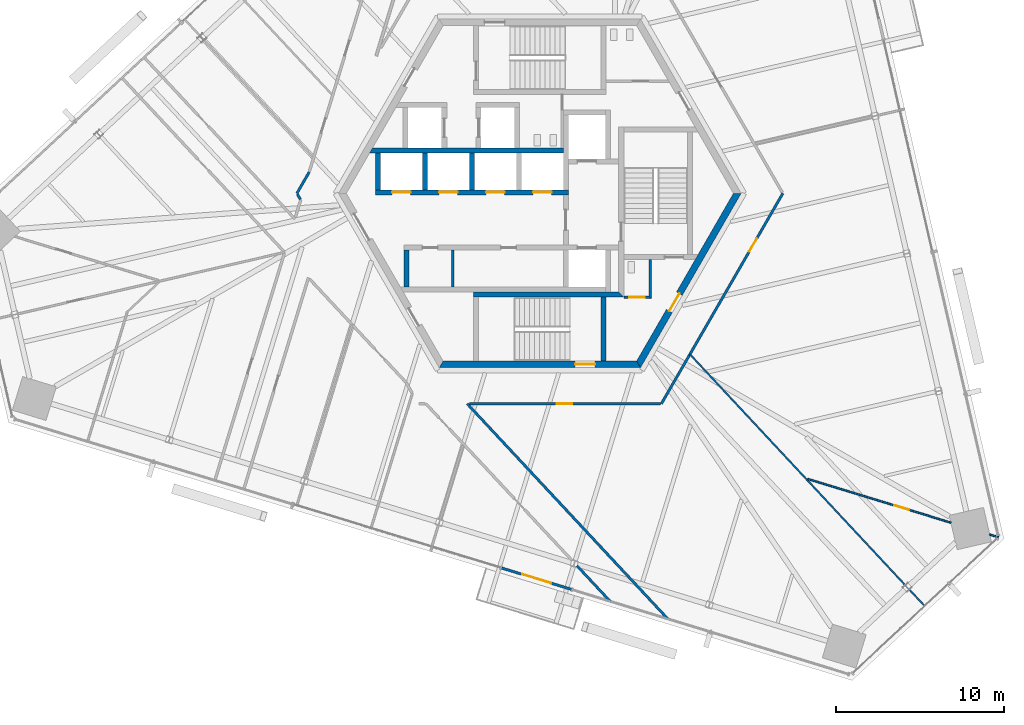
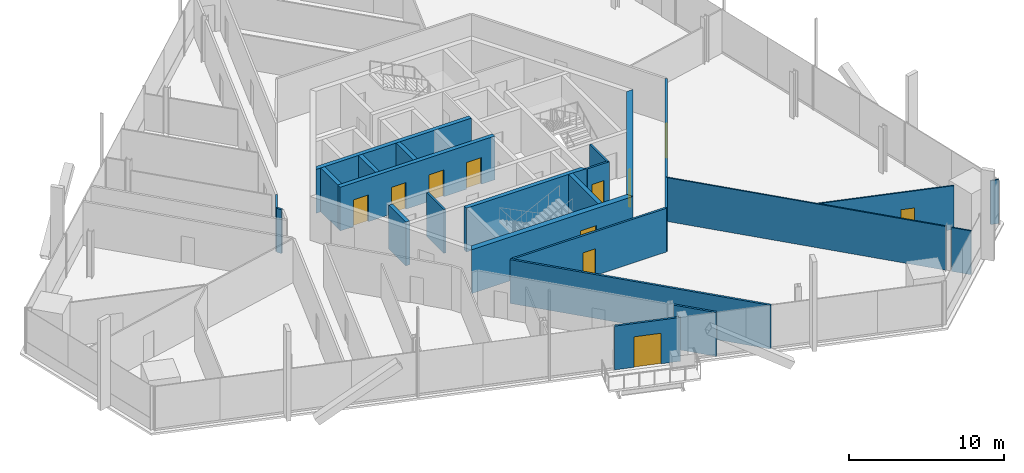
# One storey, part 13 of 23: 24 walls, 11 doors, 11 openings.
"""IFC4 building model written with IfcOpenShell, lengths in metres."""

from ifc_helpers import new_model, si_unit, direction, frame, frame_2d, origin, place, context, subcontext, project, spatial, polyline, rectangle, outline, extrude, source, transform, mapped, material, layer, layer_set, type_object, element, fill, save


model = new_model("IFC4")

# Units and contexts
model_context = context("Model", 3, precision=1e-05, world=origin(), true_north=direction((0.0, 1.0)))
body_context = subcontext(model_context, "Body", "Model", "MODEL_VIEW")
ifc_project = project(units=[si_unit("LENGTHUNIT", "METRE"), si_unit("AREAUNIT", "SQUARE_METRE"), si_unit("VOLUMEUNIT", "CUBIC_METRE"), si_unit("PLANEANGLEUNIT", "RADIAN"), si_unit("MASSUNIT", "GRAM", prefix="KILO")], contexts=[model_context])

# Site, building, storey
site_placement = place(None, origin())
site = spatial("IfcSite", under=ifc_project, at=site_placement, CompositionType="ELEMENT")
building_placement = place(site_placement, origin())
building = spatial("IfcBuilding", under=site, at=building_placement, Name="Triune Harvest Tower", CompositionType="ELEMENT")
storey_placement = place(building_placement, frame((0.0, 0.0, 105.5)))
storey = spatial("IfcBuildingStorey", under=building, at=storey_placement, Name="L26", CompositionType="ELEMENT", Elevation=105.5)

# Wall, opening, door
ifc_material_1 = material(Name="Concrete 70 MPa", Category="concrete")
ifc_layer_1 = layer(ifc_material_1, 0.39990234375)
ifc_layer_set_1 = layer_set([ifc_layer_1], Name="Concrete 70 MPa")
wall_type_1 = type_object("IfcWallType", Name="Core wall 400", PredefinedType="SHEAR", material=ifc_layer_set_1)
shared_shape_1 = source(origin(), body_context, "Body", "SweptSolid", [
    extrude(outline(polyline([(-0.115478515625, -0.199951171875), (11.884521484375, -0.199951171875), (11.653564453125, 0.199951171875), (0.115478515625, 0.199951171875), (-0.115478515625, -0.199951171875)])), origin(), (0.0, 0.0, 1.0), 3.43994140625),
])
wall_1_placement = place(storey_placement, frame((-5.884521484375, -10.1923828125, 0.0), z_axis=(0.0, 0.0, 1.0), x_axis=(1.0, 0.0, 0.0)))
wall_1 = element("IfcWall", 1, at=wall_1_placement, inside=storey, type_object=wall_type_1, Name="Hexagon 4 wall", PredefinedType="SHEAR", context=body_context, shape_type="MappedRepresentation", body=[
    mapped(shared_shape_1, transform((0.0, 0.0, 0.0), scale=1.0)),
])
opening_1_placement = place(wall_1_placement, frame((7.984619140625, 0.0, 0.0)))
opening_1 = element("IfcOpeningElement", 2, at=opening_1_placement, cuts=wall_1, Name="Opening CD-S2P", PredefinedType="OPENING", context=body_context, shape_type="SweptSolid", body=[
    extrude(rectangle(XDim=1.199951171875, YDim=2.10009765625, at=frame_2d((0.60009765625, 1.050048828125))), frame((0.0, 0.2099609375, 0.0), z_axis=(0.0, -1.0, 0.0), x_axis=(1.0, 0.0, 0.0)), (0.0, 0.0, 1.0), 0.419921875),
])
ifc_material_2 = material(Name="Steel S235", Category="steel")
door_type_1 = type_object("IfcDoorType", Name="Stair door 1200 FD120", OperationType="SINGLE_SWING_LEFT", PredefinedType="DOOR", material=ifc_material_2)
door_1_placement = place(opening_1_placement, frame((1.199951171875, 0.0, 0.0), z_axis=(0.0, 0.0, 1.0), x_axis=(-1.0, 0.0, 0.0)))
door_1 = element("IfcDoor", 3, at=door_1_placement, inside=storey, type_object=door_type_1, Name="Door CD-S2P", OperationType="SINGLE_SWING_RIGHT", OverallHeight=2.10009765625, OverallWidth=1.199951171875, PredefinedType="DOOR", context=body_context, shape_type="SweptSolid", body=[
    extrude(rectangle(XDim=1.199951171875, YDim=2.10009765625, at=frame_2d((0.60009765625, 1.050048828125))), frame((0.0, 0.02490234375, 0.0), z_axis=(0.0, -1.0, 0.0), x_axis=(1.0, 0.0, 0.0)), (0.0, 0.0, 1.0), 0.050048828125),
])
fill(opening_1, door_1)

wall_2_placement = place(storey_placement, frame((5.884521484375, -10.1923828125, 0.0), z_axis=(0.0, 0.0, 1.0), x_axis=(0.499996592174, 0.866027371285, 0.0)))
wall_2 = element("IfcWall", 4, at=wall_2_placement, inside=storey, type_object=wall_type_1, Name="Hexagon 5 wall", PredefinedType="SHEAR", context=body_context, shape_type="MappedRepresentation", body=[
    mapped(shared_shape_1, transform((0.0, 0.0, 0.0), scale=1.0)),
])
opening_2_placement = place(wall_2_placement, frame((3.66455078125, 0.0, 0.0)))
opening_2 = element("IfcOpeningElement", 5, at=opening_2_placement, cuts=wall_2, Name="Opening CD-DP", PredefinedType="OPENING", context=body_context, shape_type="SweptSolid", body=[
    extrude(rectangle(XDim=1.199951171875, YDim=2.10009765625, at=frame_2d((0.60009765625, 1.050048828125))), frame((0.0, 0.2099609375, 0.0), z_axis=(0.0, -1.0, 0.0), x_axis=(1.0, 0.0, 0.0)), (0.0, 0.0, 1.0), 0.419921875),
])
door_2_placement = place(opening_2_placement, frame((1.199951171875, 0.0, 0.0), z_axis=(0.0, 0.0, 1.0), x_axis=(-1.0, 0.0, 0.0)))
door_2 = element("IfcDoor", 6, at=door_2_placement, inside=storey, type_object=door_type_1, Name="Door CD-DP", OperationType="SINGLE_SWING_RIGHT", OverallHeight=2.10009765625, OverallWidth=1.199951171875, PredefinedType="DOOR", context=body_context, shape_type="SweptSolid", body=[
    extrude(rectangle(XDim=1.199951171875, YDim=2.10009765625, at=frame_2d((0.60009765625, 1.050048828125))), frame((0.0, 0.02490234375, 0.0), z_axis=(0.0, -1.0, 0.0), x_axis=(1.0, 0.0, 0.0)), (0.0, 0.0, 1.0), 0.050048828125),
])
fill(opening_2, door_2)

# Wall, openings, doors
ifc_material_3 = material(Name="Concrete 70 MPa", Category="concrete")
ifc_layer_2 = layer(ifc_material_3, 0.300048828125)
ifc_layer_set_2 = layer_set([ifc_layer_2], Name="Concrete 70 MPa")
wall_type_2 = type_object("IfcWallType", Name="Core wall 300", PredefinedType="SHEAR", material=ifc_layer_set_2)
shared_shape_2 = source(origin(), body_context, "Body", "SweptSolid", [
    extrude(rectangle(XDim=11.5, YDim=0.300048828125, at=frame_2d((5.75, 0.0))), origin(), (0.0, 0.0, 1.0), 3.43994140625),
])
wall_3_placement = place(storey_placement, frame((-9.800048828125, 0.06005859375, 0.0), z_axis=(0.0, 0.0, 1.0), x_axis=(1.0, 0.0, 0.0)))
wall_3 = element("IfcWall", 7, at=wall_3_placement, inside=storey, type_object=wall_type_2, Name="North front wall", PredefinedType="SHEAR", context=body_context, shape_type="MappedRepresentation", body=[
    mapped(shared_shape_2, transform((0.0, 0.0, 0.0), scale=1.0)),
])
opening_3_placement = place(wall_3_placement, frame((1.0, 0.0, 0.0)))
opening_3 = element("IfcOpeningElement", 8, at=opening_3_placement, cuts=wall_3, Name="Opening LD-LR1-26", PredefinedType="OPENING", context=body_context, shape_type="SweptSolid", body=[
    extrude(rectangle(XDim=1.10009765625, YDim=2.10009765625, at=frame_2d((0.550048828125, 1.050048828125))), frame((0.0, 0.16015625, 0.0), z_axis=(0.0, -1.0, 0.0), x_axis=(1.0, 0.0, 0.0)), (0.0, 0.0, 1.0), 0.320068359375),
])
opening_4_placement = place(wall_3_placement, frame((3.800048828125, 0.0, 0.0)))
opening_4 = element("IfcOpeningElement", 9, at=opening_4_placement, cuts=wall_3, Name="Opening LD-LR2-26", PredefinedType="OPENING", context=body_context, shape_type="SweptSolid", body=[
    extrude(rectangle(XDim=1.10009765625, YDim=2.10009765625, at=frame_2d((0.550048828125, 1.050048828125))), frame((0.0, 0.16015625, 0.0), z_axis=(0.0, -1.0, 0.0), x_axis=(1.0, 0.0, 0.0)), (0.0, 0.0, 1.0), 0.320068359375),
])
opening_5_placement = place(wall_3_placement, frame((6.60009765625, 0.0, 0.0)))
opening_5 = element("IfcOpeningElement", 10, at=opening_5_placement, cuts=wall_3, Name="Opening LD-LR3-26", PredefinedType="OPENING", context=body_context, shape_type="SweptSolid", body=[
    extrude(rectangle(XDim=1.10009765625, YDim=2.10009765625, at=frame_2d((0.550048828125, 1.050048828125))), frame((0.0, 0.16015625, 0.0), z_axis=(0.0, -1.0, 0.0), x_axis=(1.0, 0.0, 0.0)), (0.0, 0.0, 1.0), 0.320068359375),
])
opening_6_placement = place(wall_3_placement, frame((9.39990234375, 0.0, 0.0)))
opening_6 = element("IfcOpeningElement", 11, at=opening_6_placement, cuts=wall_3, Name="Opening LD-LR4-26", PredefinedType="OPENING", context=body_context, shape_type="SweptSolid", body=[
    extrude(rectangle(XDim=1.10009765625, YDim=2.10009765625, at=frame_2d((0.550048828125, 1.050048828125))), frame((0.0, 0.16015625, 0.0), z_axis=(0.0, -1.0, 0.0), x_axis=(1.0, 0.0, 0.0)), (0.0, 0.0, 1.0), 0.320068359375),
])
ifc_material_4 = material(Name="Stainless steel AISI 304", Category="steel")
door_type_2 = type_object("IfcDoorType", Name="Landing door 1100 x 2100", OperationType="DOUBLE_DOOR_SLIDING", PredefinedType="DOOR", material=ifc_material_4)
door_3_placement = place(opening_3_placement, origin())
door_3 = element("IfcDoor", 12, at=door_3_placement, inside=storey, type_object=door_type_2, Name="Door LD-LR1-26", OperationType="DOUBLE_DOOR_SLIDING", OverallHeight=2.10009765625, OverallWidth=1.10009765625, PredefinedType="DOOR", context=body_context, shape_type="SweptSolid", body=[
    extrude(rectangle(XDim=1.10009765625, YDim=2.10009765625, at=frame_2d((0.550048828125, 1.050048828125))), frame((0.0, 0.02490234375, 0.0), z_axis=(0.0, -1.0, 0.0), x_axis=(1.0, 0.0, 0.0)), (0.0, 0.0, 1.0), 0.050048828125),
])
fill(opening_3, door_3)
door_4_placement = place(opening_4_placement, origin())
door_4 = element("IfcDoor", 13, at=door_4_placement, inside=storey, type_object=door_type_2, Name="Door LD-LR2-26", OperationType="DOUBLE_DOOR_SLIDING", OverallHeight=2.10009765625, OverallWidth=1.10009765625, PredefinedType="DOOR", context=body_context, shape_type="SweptSolid", body=[
    extrude(rectangle(XDim=1.10009765625, YDim=2.10009765625, at=frame_2d((0.550048828125, 1.050048828125))), frame((0.0, 0.02490234375, 0.0), z_axis=(0.0, -1.0, 0.0), x_axis=(1.0, 0.0, 0.0)), (0.0, 0.0, 1.0), 0.050048828125),
])
fill(opening_4, door_4)
door_5_placement = place(opening_5_placement, origin())
door_5 = element("IfcDoor", 14, at=door_5_placement, inside=storey, type_object=door_type_2, Name="Door LD-LR3-26", OperationType="DOUBLE_DOOR_SLIDING", OverallHeight=2.10009765625, OverallWidth=1.10009765625, PredefinedType="DOOR", context=body_context, shape_type="SweptSolid", body=[
    extrude(rectangle(XDim=1.10009765625, YDim=2.10009765625, at=frame_2d((0.550048828125, 1.050048828125))), frame((0.0, 0.02490234375, 0.0), z_axis=(0.0, -1.0, 0.0), x_axis=(1.0, 0.0, 0.0)), (0.0, 0.0, 1.0), 0.050048828125),
])
fill(opening_5, door_5)
door_6_placement = place(opening_6_placement, origin())
door_6 = element("IfcDoor", 15, at=door_6_placement, inside=storey, type_object=door_type_2, Name="Door LD-LR4-26", OperationType="DOUBLE_DOOR_SLIDING", OverallHeight=2.10009765625, OverallWidth=1.10009765625, PredefinedType="DOOR", context=body_context, shape_type="SweptSolid", body=[
    extrude(rectangle(XDim=1.10009765625, YDim=2.10009765625, at=frame_2d((0.550048828125, 1.050048828125))), frame((0.0, 0.02490234375, 0.0), z_axis=(0.0, -1.0, 0.0), x_axis=(1.0, 0.0, 0.0)), (0.0, 0.0, 1.0), 0.050048828125),
])
fill(opening_6, door_6)

# Walls
shared_shape_3 = source(origin(), body_context, "Body", "SweptSolid", [
    extrude(outline(polyline([(11.199951171875, -0.14990234375), (-0.34912109375, -0.14990234375), (-0.17578125, 0.14990234375), (11.199951171875, 0.14990234375), (11.199951171875, -0.14990234375)])), origin(), (0.0, 0.0, 1.0), 3.43994140625),
])
wall_4_placement = place(storey_placement, frame((-9.800048828125, 2.56005859375, 0.0), z_axis=(0.0, 0.0, 1.0), x_axis=(1.0, 0.0, 0.0)))
element("IfcWall", 16, at=wall_4_placement, inside=storey, type_object=wall_type_2, Name="North back wall", PredefinedType="SHEAR", context=body_context, shape_type="MappedRepresentation", body=[
    mapped(shared_shape_3, transform((0.0, 0.0, 0.0), scale=1.0)),
])
shared_shape_4 = source(origin(), body_context, "Body", "SweptSolid", [
    extrude(rectangle(XDim=2.2001953125, YDim=0.300048828125, at=frame_2d((1.10009765625, 0.0))), origin(), (0.0, 0.0, 1.0), 3.43994140625),
])
wall_5_placement = place(storey_placement, frame((-7.949951171875, -5.590087890625, 0.0), z_axis=(0.0, 0.0, 1.0), x_axis=(0.0, 1.0, 0.0)))
element("IfcWall", 17, at=wall_5_placement, inside=storey, type_object=wall_type_2, Name="South end west wall", PredefinedType="SHEAR", context=body_context, shape_type="MappedRepresentation", body=[
    mapped(shared_shape_4, transform((0.0, 0.0, 0.0), scale=1.0)),
])
shared_shape_5 = source(origin(), body_context, "Body", "SweptSolid", [
    extrude(rectangle(XDim=2.199951171875, YDim=0.300048828125, at=frame_2d((1.10009765625, 0.0))), origin(), (0.0, 0.0, 1.0), 3.43994140625),
])
for number, where, z_axis, x_axis, name in (
    (18, (-9.64990234375, 0.2099609375, 0.0), (0.0, 0.0, 1.0), (0.0, 1.0, 0.0), "North end west wall"),
    (19, (-6.85009765625, 0.2099609375, 0.0), (0.0, 0.0, 1.0), (0.0, 1.0, 0.0), "North cross 1 wall"),
    (20, (-4.050048828125, 0.2099609375, 0.0), (0.0, 0.0, 1.0), (0.0, 1.0, 0.0), "North cross 2 wall"),
):
    element("IfcWall", number, at=place(storey_placement, frame(where, z_axis=z_axis, x_axis=x_axis)), inside=storey, type_object=wall_type_2, Name=name, PredefinedType="SHEAR", context=body_context, shape_type="MappedRepresentation", body=[
        mapped(shared_shape_5, transform((0.0, 0.0, 0.0), scale=1.0)),
    ])
shared_shape_6 = source(origin(), body_context, "Body", "SweptSolid", [
    extrude(outline(polyline([(0.0, -0.14990234375), (8.949951171875, -0.14990234375), (8.64990234375, 0.14990234375), (0.0, 0.14990234375), (0.0, -0.14990234375)])), origin(), (0.0, 0.0, 1.0), 3.43994140625),
])
wall_6_placement = place(storey_placement, frame((-3.949951171875, -6.0400390625, 0.0), z_axis=(0.0, 0.0, 1.0), x_axis=(1.0, 0.0, 0.0)))
element("IfcWall", 21, at=wall_6_placement, inside=storey, type_object=wall_type_2, Name="Stair s north wall", PredefinedType="SHEAR", context=body_context, shape_type="MappedRepresentation", body=[
    mapped(shared_shape_6, transform((0.0, 0.0, 0.0), scale=1.0)),
])
shared_shape_7 = source(origin(), body_context, "Body", "SweptSolid", [
    extrude(outline(polyline([(3.800048828125, -0.14990234375), (-0.00439453125, -0.14990234375), (-0.00439453125, 0.14990234375), (3.800048828125, 0.14990234375), (3.800048828125, -0.14990234375)])), origin(), (0.0, 0.0, 1.0), 3.43994140625),
])
wall_7_placement = place(storey_placement, frame((3.800048828125, -9.989990234375, 0.0), z_axis=(0.0, 0.0, 1.0), x_axis=(0.0, 1.0, 0.0)))
element("IfcWall", 22, at=wall_7_placement, inside=storey, type_object=wall_type_2, Name="Stair s east wall", PredefinedType="SHEAR", context=body_context, shape_type="MappedRepresentation", body=[
    mapped(shared_shape_7, transform((0.0, 0.0, 0.0), scale=1.0)),
])

# Wall, opening, door
ifc_material_5 = material(Name="Concrete masonry unit", Category="masonry")
ifc_layer_3 = layer(ifc_material_5, 0.14990234375)
ifc_layer_set_3 = layer_set([ifc_layer_3], Name="Concrete masonry unit")
wall_type_3 = type_object("IfcWallType", Name="Block partition 150 unrated", PredefinedType="PARTITIONING", material=ifc_layer_set_3)
shared_shape_8 = source(origin(), body_context, "Body", "SweptSolid", [
    extrude(outline(polyline([(0.0, -0.074951171875), (1.64990234375, -0.074951171875), (1.5, 0.074951171875), (0.0, 0.074951171875), (0.0, -0.074951171875)])), origin(), (0.0, 0.0, 1.0), 3.43994140625),
])
wall_8_placement = place(storey_placement, frame((5.0, -6.18994140625, 0.0), z_axis=(0.0, 0.0, 1.0), x_axis=(1.0, 0.0, 0.0)))
wall_8 = element("IfcWall", 23, at=wall_8_placement, inside=storey, type_object=wall_type_3, Name="Wc acc south wall", PredefinedType="PARTITIONING", context=body_context, shape_type="MappedRepresentation", body=[
    mapped(shared_shape_8, transform((0.0, 0.0, 0.0), scale=1.0)),
])
opening_7_placement = place(wall_8_placement, frame((0.33740234375, 0.0, 0.0)))
opening_7 = element("IfcOpeningElement", 24, at=opening_7_placement, cuts=wall_8, Name="Opening CD-WA", PredefinedType="OPENING", context=body_context, shape_type="SweptSolid", body=[
    extrude(rectangle(XDim=0.89990234375, YDim=2.10009765625, at=frame_2d((0.449951171875, 1.050048828125))), frame((0.0, 0.0849609375, 0.0), z_axis=(0.0, -1.0, 0.0), x_axis=(1.0, 0.0, 0.0)), (0.0, 0.0, 1.0), 0.169921875),
])
ifc_material_6 = material(Name="Timber C24", Category="wood")
door_type_3 = type_object("IfcDoorType", Name="WC door 900", OperationType="SINGLE_SWING_LEFT", PredefinedType="DOOR", material=ifc_material_6)
door_7_placement = place(opening_7_placement, origin())
door_7 = element("IfcDoor", 25, at=door_7_placement, inside=storey, type_object=door_type_3, Name="Door CD-WA", OperationType="SINGLE_SWING_LEFT", OverallHeight=2.10009765625, OverallWidth=0.89990234375, PredefinedType="DOOR", context=body_context, shape_type="SweptSolid", body=[
    extrude(rectangle(XDim=0.89990234375, YDim=2.10009765625, at=frame_2d((0.449951171875, 1.050048828125))), frame((0.0, 0.02490234375, 0.0), z_axis=(0.0, -1.0, 0.0), x_axis=(1.0, 0.0, 0.0)), (0.0, 0.0, 1.0), 0.050048828125),
])
fill(opening_7, door_7)

# Walls
shared_shape_9 = source(origin(), body_context, "Body", "SweptSolid", [
    extrude(outline(polyline([(-0.074951171875, -0.074951171875), (2.239990234375, -0.074951171875), (2.239990234375, 0.074951171875), (0.074951171875, 0.074951171875), (-0.074951171875, -0.074951171875)])), origin(), (0.0, 0.0, 1.0), 3.43994140625),
])
wall_9_placement = place(storey_placement, frame((6.574951171875, -6.18994140625, 0.0), z_axis=(0.0, 0.0, 1.0), x_axis=(0.0, 1.0, 0.0)))
element("IfcWall", 26, at=wall_9_placement, inside=storey, type_object=wall_type_3, Name="Wc acc east wall", PredefinedType="PARTITIONING", context=body_context, shape_type="MappedRepresentation", body=[
    mapped(shared_shape_9, transform((0.0, 0.0, 0.0), scale=1.0)),
])
ifc_material_7 = material(Name="Concrete masonry unit", Category="masonry")
ifc_layer_4 = layer(ifc_material_7, 0.14990234375)
ifc_layer_set_4 = layer_set([ifc_layer_4], Name="Concrete masonry unit")
wall_type_4 = type_object("IfcWallType", Name="Block partition 150", PredefinedType="PARTITIONING", material=ifc_layer_set_4)
shared_shape_10 = source(origin(), body_context, "Body", "SweptSolid", [
    extrude(rectangle(XDim=2.2001953125, YDim=0.14990234375, at=frame_2d((1.10009765625, 0.0))), origin(), (0.0, 0.0, 1.0), 3.43994140625),
])
wall_10_placement = place(storey_placement, frame((-5.199951171875, -5.590087890625, 0.0), z_axis=(0.0, 0.0, 1.0), x_axis=(0.0, 1.0, 0.0)))
element("IfcWall", 27, at=wall_10_placement, inside=storey, type_object=wall_type_4, Name="Row s part 1 wall", PredefinedType="PARTITIONING", context=body_context, shape_type="MappedRepresentation", body=[
    mapped(shared_shape_10, transform((0.0, 0.0, 0.0), scale=1.0)),
])

# Wall, opening, door
ifc_material_8 = material(Name="Aluminium bronze anodised", Category="aluminium")
ifc_layer_5 = layer(ifc_material_8, 0.14990234375)
ifc_layer_set_5 = layer_set([ifc_layer_5], Name="Aluminium bronze anodised")
wall_type_5 = type_object("IfcWallType", Name="WW-2 balcony window wall", PredefinedType="ELEMENTEDWALL", material=ifc_layer_set_5)
shared_shape_11 = source(origin(), body_context, "Body", "SweptSolid", [
    extrude(rectangle(XDim=4.353271484375, YDim=0.14990234375, at=frame_2d((2.1767578125, 0.0))), origin(), (0.0, 0.0, 1.0), 3.43994140625),
])
wall_11_placement = place(storey_placement, frame((1.886962890625, -23.607421875, 0.0), z_axis=(0.0, 0.0, 1.0), x_axis=(-0.956309766943, 0.292355314044, 0.0)))
wall_11 = element("IfcWall", 28, at=wall_11_placement, inside=storey, type_object=wall_type_5, Name="WW-2 B3-F5 L26.8", PredefinedType="ELEMENTEDWALL", context=body_context, shape_type="MappedRepresentation", body=[
    mapped(shared_shape_11, transform((0.0, 0.0, 0.0), scale=1.0)),
])
opening_8_placement = place(wall_11_placement, frame((1.276611328125, 0.0, 0.0)))
opening_8 = element("IfcOpeningElement", 29, at=opening_8_placement, cuts=wall_11, Name="Opening L26-E02", PredefinedType="OPENING", context=body_context, shape_type="SweptSolid", body=[
    extrude(rectangle(XDim=1.800048828125, YDim=2.39990234375, at=frame_2d((0.89990234375, 1.199951171875))), frame((0.0, 0.0849609375, 0.0), z_axis=(0.0, -1.0, 0.0), x_axis=(1.0, 0.0, 0.0)), (0.0, 0.0, 1.0), 0.169921875),
])
ifc_material_9 = material(Name="Glass", Category="glass")
door_type_4 = type_object("IfcDoorType", Name="DB-1 balcony door 1800 x 2400", OperationType="DOUBLE_DOOR_SINGLE_SWING", PredefinedType="DOOR", material=ifc_material_9)
door_8_placement = place(opening_8_placement, origin())
door_8 = element("IfcDoor", 30, at=door_8_placement, inside=storey, type_object=door_type_4, Name="Door L26-E02", OperationType="DOUBLE_DOOR_SINGLE_SWING", OverallHeight=2.39990234375, OverallWidth=1.800048828125, PredefinedType="DOOR", context=body_context, shape_type="SweptSolid", body=[
    extrude(rectangle(XDim=1.800048828125, YDim=2.39990234375, at=frame_2d((0.89990234375, 1.199951171875))), frame((0.0, 0.02490234375, 0.0), z_axis=(0.0, -1.0, 0.0), x_axis=(1.0, 0.0, 0.0)), (0.0, 0.0, 1.0), 0.050048828125),
])
fill(opening_8, door_8)

# Walls
ifc_material_10 = material(Name="Gypsum board on steel studs", Category="steel")
ifc_layer_6 = layer(ifc_material_10, 0.14990234375)
ifc_layer_set_6 = layer_set([ifc_layer_6], Name="Gypsum board on steel studs")
wall_type_6 = type_object("IfcWallType", Name="Fire Partition 150 mm", PredefinedType="PARTITIONING", material=ifc_layer_set_6)
shared_shape_12 = source(origin(), body_context, "Body", "SweptSolid", [
    extrude(rectangle(XDim=0.358642578125, YDim=0.14990234375, at=frame_2d((0.17919921875, 0.0))), origin(), (0.0, 0.0, 1.0), 3.43994140625),
])
wall_12_placement = place(storey_placement, frame((-14.457275390625, -0.044677734375, 0.0), z_axis=(0.0, 0.0, 1.0), x_axis=(0.499506421781, -0.866310183825, 0.0)))
element("IfcWall", 31, at=wall_12_placement, inside=storey, type_object=wall_type_6, Name="Partition L26 001", PredefinedType="PARTITIONING", context=body_context, shape_type="MappedRepresentation", body=[
    mapped(shared_shape_12, transform((0.0, 0.0, 0.0), scale=1.0)),
])
shared_shape_13 = source(origin(), body_context, "Body", "SweptSolid", [
    extrude(rectangle(XDim=1.45849609375, YDim=0.14990234375, at=frame_2d((0.729248046875, 0.0))), origin(), (0.0, 0.0, 1.0), 3.43994140625),
])
wall_13_placement = place(storey_placement, frame((-14.482421875, 0.00048828125, 0.0), z_axis=(0.0, 0.0, 1.0), x_axis=(0.499973600159, 0.866040645203, 0.0)))
element("IfcWall", 32, at=wall_13_placement, inside=storey, type_object=wall_type_6, Name="Partition L26 035", PredefinedType="PARTITIONING", context=body_context, shape_type="MappedRepresentation", body=[
    mapped(shared_shape_13, transform((0.0, 0.0, 0.0), scale=1.0)),
])
shared_shape_14 = source(origin(), body_context, "Body", "SweptSolid", [
    extrude(rectangle(XDim=2.887939453125, YDim=0.14990234375, at=frame_2d((1.44384765625, 0.0))), origin(), (0.0, 0.0, 1.0), 3.43994140625),
])
wall_14_placement = place(storey_placement, frame((2.209716796875, -22.196044921875, 0.0), z_axis=(0.0, 0.0, 1.0), x_axis=(0.681947692546, -0.731400946561, 0.0)))
element("IfcWall", 33, at=wall_14_placement, inside=storey, type_object=wall_type_6, Name="Partition L26 007", PredefinedType="PARTITIONING", context=body_context, shape_type="MappedRepresentation", body=[
    mapped(shared_shape_14, transform((0.0, 0.0, 0.0), scale=1.0)),
])
shared_shape_15 = source(origin(), body_context, "Body", "SweptSolid", [
    extrude(rectangle(XDim=17.52734375, YDim=0.14990234375, at=frame_2d((8.763671875, 0.0))), origin(), (0.0, 0.0, 1.0), 3.43994140625),
])
wall_15_placement = place(storey_placement, frame((-4.33154296875, -12.542236328125, 0.0), z_axis=(0.0, 0.0, 1.0), x_axis=(0.68200056093, -0.731351649271, 0.0)))
element("IfcWall", 34, at=wall_15_placement, inside=storey, type_object=wall_type_6, Name="Partition L26 009", PredefinedType="PARTITIONING", context=body_context, shape_type="MappedRepresentation", body=[
    mapped(shared_shape_15, transform((0.0, 0.0, 0.0), scale=1.0)),
])
ifc_material_11 = material(Name="Gypsum board on steel studs", Category="steel")
ifc_layer_7 = layer(ifc_material_11, 0.10009765625)
ifc_layer_set_7 = layer_set([ifc_layer_7], Name="Gypsum board on steel studs")
wall_type_7 = type_object("IfcWallType", Name="Partition 100 mm", PredefinedType="PARTITIONING", material=ifc_layer_set_7)
shared_shape_16 = source(origin(), body_context, "Body", "SweptSolid", [
    extrude(rectangle(XDim=1.338134765625, YDim=0.10009765625, at=frame_2d((0.6689453125, 0.0))), origin(), (0.0, 0.0, 1.0), 3.43994140625),
])
wall_16_placement = place(storey_placement, frame((22.02490234375, -23.618896484375, 0.0), z_axis=(0.0, 0.0, 1.0), x_axis=(0.68204515899, -0.731310058114, 0.0)))
element("IfcWall", 35, at=wall_16_placement, inside=storey, type_object=wall_type_7, Name="Partition L26 016", PredefinedType="PARTITIONING", context=body_context, shape_type="MappedRepresentation", body=[
    mapped(shared_shape_16, transform((0.0, 0.0, 0.0), scale=1.0)),
])
shared_shape_17 = source(origin(), body_context, "Body", "SweptSolid", [
    extrude(rectangle(XDim=18.818359375, YDim=0.10009765625, at=frame_2d((9.4091796875, 0.0))), origin(), (0.0, 0.0, 1.0), 3.43994140625),
])
wall_17_placement = place(storey_placement, frame((8.944580078125, -9.592041015625, 0.0), z_axis=(0.0, 0.0, 1.0), x_axis=(0.682007100477, -0.731345550953, 0.0)))
element("IfcWall", 36, at=wall_17_placement, inside=storey, type_object=wall_type_7, Name="Partition L26 015", PredefinedType="PARTITIONING", context=body_context, shape_type="MappedRepresentation", body=[
    mapped(shared_shape_17, transform((0.0, 0.0, 0.0), scale=1.0)),
])

# Wall, opening, door
shared_shape_18 = source(origin(), body_context, "Body", "SweptSolid", [
    extrude(rectangle(XDim=8.9326171875, YDim=0.10009765625, at=frame_2d((4.46630859375, 0.0))), origin(), (0.0, 0.0, 1.0), 3.43994140625),
])
wall_18_placement = place(storey_placement, frame((15.968017578125, -17.020751953125, 0.0), z_axis=(0.0, 0.0, 1.0), x_axis=(0.956306366949, -0.292366435373, 0.0)))
wall_18 = element("IfcWall", 37, at=wall_18_placement, inside=storey, type_object=wall_type_7, Name="Partition L26 023", PredefinedType="PARTITIONING", context=body_context, shape_type="MappedRepresentation", body=[
    mapped(shared_shape_18, transform((0.0, 0.0, 0.0), scale=1.0)),
])
opening_9_placement = place(wall_18_placement, frame((5.409912109375, 0.0, 0.0)))
opening_9 = element("IfcOpeningElement", 38, at=opening_9_placement, cuts=wall_18, Name="Opening L26-019", PredefinedType="OPENING", context=body_context, shape_type="SweptSolid", body=[
    extrude(rectangle(XDim=0.89990234375, YDim=2.10009765625, at=frame_2d((0.449951171875, 1.050048828125))), frame((0.0, 0.06005859375, 0.0), z_axis=(0.0, -1.0, 0.0), x_axis=(1.0, 0.0, 0.0)), (0.0, 0.0, 1.0), 0.1201171875),
])
ifc_material_12 = material(Name="Timber and steel door set", Category="steel")
door_type_5 = type_object("IfcDoorType", Name="Single leaf door left hand 900 x 2100", OperationType="SINGLE_SWING_LEFT", PredefinedType="DOOR", material=ifc_material_12)
door_9_placement = place(opening_9_placement, origin())
door_9 = element("IfcDoor", 39, at=door_9_placement, inside=storey, type_object=door_type_5, Name="Door L26-019 Meeting Room 26.19", OperationType="SINGLE_SWING_LEFT", OverallHeight=2.10009765625, OverallWidth=0.89990234375, PredefinedType="DOOR", context=body_context, shape_type="SweptSolid", body=[
    extrude(rectangle(XDim=0.89990234375, YDim=2.10009765625, at=frame_2d((0.449951171875, 1.050048828125))), frame((0.0, 0.02490234375, 0.0), z_axis=(0.0, -1.0, 0.0), x_axis=(1.0, 0.0, 0.0)), (0.0, 0.0, 1.0), 0.050048828125),
])
fill(opening_9, door_9)

# Wall
shared_shape_19 = source(origin(), body_context, "Body", "SweptSolid", [
    extrude(rectangle(XDim=0.552734375, YDim=0.10009765625, at=frame_2d((0.2763671875, 0.0))), origin(), (0.0, 0.0, 1.0), 3.43994140625),
])
wall_19_placement = place(storey_placement, frame((26.806884765625, -20.334716796875, 0.0), z_axis=(0.0, 0.0, 1.0), x_axis=(0.956416704969, -0.292005284981, 0.0)))
element("IfcWall", 40, at=wall_19_placement, inside=storey, type_object=wall_type_7, Name="Partition L26 024", PredefinedType="PARTITIONING", context=body_context, shape_type="MappedRepresentation", body=[
    mapped(shared_shape_19, transform((0.0, 0.0, 0.0), scale=1.0)),
])

# Wall, opening, door
shared_shape_20 = source(origin(), body_context, "Body", "SweptSolid", [
    extrude(rectangle(XDim=11.3828125, YDim=0.14990234375, at=frame_2d((5.69140625, 0.0))), origin(), (0.0, 0.0, 1.0), 3.43994140625),
])
wall_20_placement = place(storey_placement, frame((-4.19140625, -12.542236328125, 0.0), z_axis=(0.0, 0.0, 1.0), x_axis=(1.0, 0.0, 0.0)))
wall_20 = element("IfcWall", 41, at=wall_20_placement, inside=storey, type_object=wall_type_6, Name="Partition L26 027", PredefinedType="PARTITIONING", context=body_context, shape_type="MappedRepresentation", body=[
    mapped(shared_shape_20, transform((0.0, 0.0, 0.0), scale=1.0)),
])
opening_10_placement = place(wall_20_placement, frame((5.2099609375, 0.0, 0.0)))
opening_10 = element("IfcOpeningElement", 42, at=opening_10_placement, cuts=wall_20, Name="Opening L26-018", PredefinedType="OPENING", context=body_context, shape_type="SweptSolid", body=[
    extrude(rectangle(XDim=0.89990234375, YDim=2.10009765625, at=frame_2d((0.449951171875, 1.050048828125))), frame((0.0, 0.0849609375, 0.0), z_axis=(0.0, -1.0, 0.0), x_axis=(1.0, 0.0, 0.0)), (0.0, 0.0, 1.0), 0.169921875),
])
ifc_material_13 = material(Name="Timber and steel door set", Category="steel")
door_type_6 = type_object("IfcDoorType", Name="Single leaf door FD30 left hand 900 x 2100", OperationType="SINGLE_SWING_LEFT", PredefinedType="DOOR", material=ifc_material_13)
door_10_placement = place(opening_10_placement, origin())
door_10 = element("IfcDoor", 43, at=door_10_placement, inside=storey, type_object=door_type_6, Name="Door L26-018 Open Office 26.18", OperationType="SINGLE_SWING_LEFT", OverallHeight=2.10009765625, OverallWidth=0.89990234375, PredefinedType="DOOR", context=body_context, shape_type="SweptSolid", body=[
    extrude(rectangle(XDim=0.89990234375, YDim=2.10009765625, at=frame_2d((0.449951171875, 1.050048828125))), frame((0.0, 0.02490234375, 0.0), z_axis=(0.0, -1.0, 0.0), x_axis=(1.0, 0.0, 0.0)), (0.0, 0.0, 1.0), 0.050048828125),
])
fill(opening_10, door_10)

shared_shape_21 = source(origin(), body_context, "Body", "SweptSolid", [
    extrude(rectangle(XDim=14.482666015625, YDim=0.14990234375, at=frame_2d((7.2412109375, 0.0))), origin(), (0.0, 0.0, 1.0), 3.43994140625),
])
wall_21_placement = place(storey_placement, frame((7.2412109375, -12.542236328125, 0.0), z_axis=(0.0, 0.0, 1.0), x_axis=(0.50000992002, 0.866019676383, 0.0)))
wall_21 = element("IfcWall", 44, at=wall_21_placement, inside=storey, type_object=wall_type_6, Name="Partition L26 034", PredefinedType="PARTITIONING", context=body_context, shape_type="MappedRepresentation", body=[
    mapped(shared_shape_21, transform((0.0, 0.0, 0.0), scale=1.0)),
])
opening_11_placement = place(wall_21_placement, frame((10.48193359375, 0.0, 0.0)))
opening_11 = element("IfcOpeningElement", 45, at=opening_11_placement, cuts=wall_21, Name="Opening L26-001", PredefinedType="OPENING", context=body_context, shape_type="SweptSolid", body=[
    extrude(rectangle(XDim=0.89990234375, YDim=2.10009765625, at=frame_2d((0.449951171875, 1.050048828125))), frame((0.0, 0.0849609375, 0.0), z_axis=(0.0, -1.0, 0.0), x_axis=(1.0, 0.0, 0.0)), (0.0, 0.0, 1.0), 0.169921875),
])
door_11_placement = place(opening_11_placement, origin())
door_11 = element("IfcDoor", 46, at=door_11_placement, inside=storey, type_object=door_type_6, Name="Door L26-001 Open Office 26.01", OperationType="SINGLE_SWING_LEFT", OverallHeight=2.10009765625, OverallWidth=0.89990234375, PredefinedType="DOOR", context=body_context, shape_type="SweptSolid", body=[
    extrude(rectangle(XDim=0.89990234375, YDim=2.10009765625, at=frame_2d((0.449951171875, 1.050048828125))), frame((0.0, 0.02490234375, 0.0), z_axis=(0.0, -1.0, 0.0), x_axis=(1.0, 0.0, 0.0)), (0.0, 0.0, 1.0), 0.050048828125),
])
fill(opening_11, door_11)

save(model, "model.ifc")
